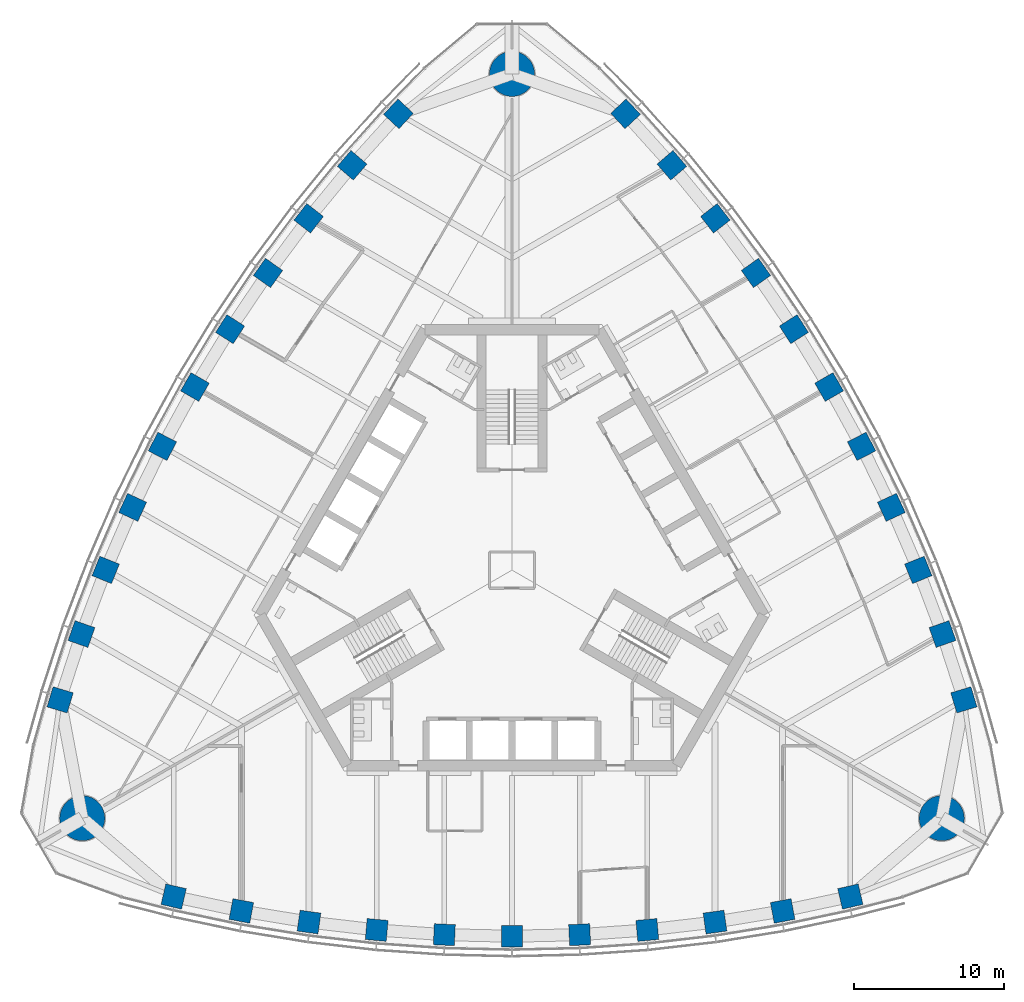
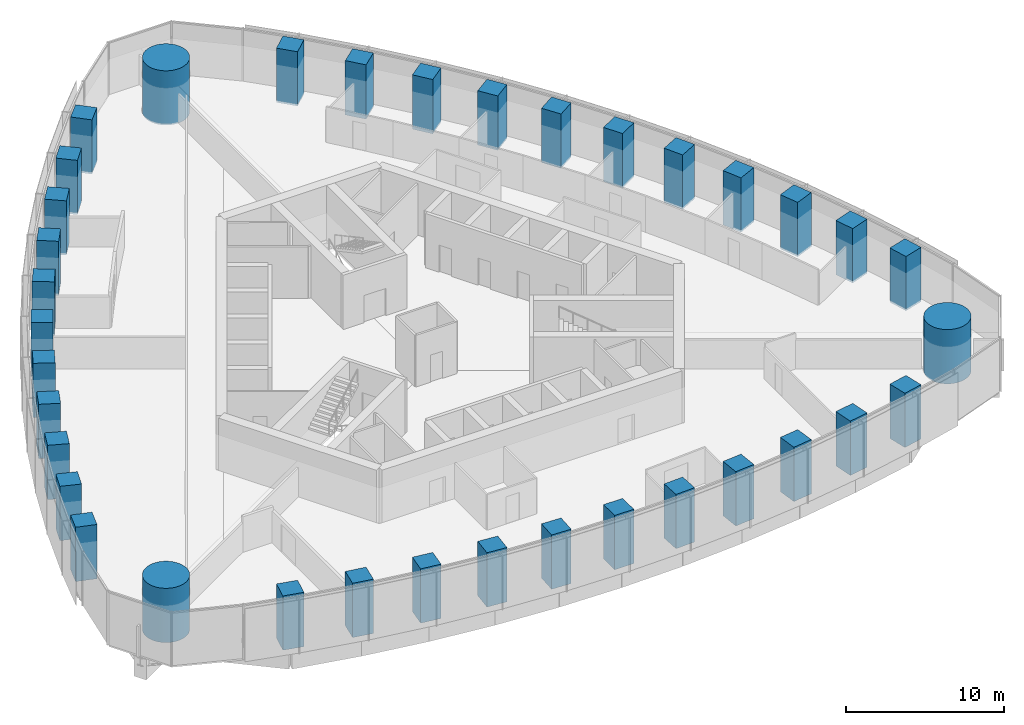
# One storey, part 1 of 19: 36 columns.
"""IFC4 building model written with IfcOpenShell, lengths in metres."""

from ifc_helpers import new_model, si_unit, direction, frame, origin, origin_2d, place, context, subcontext, project, spatial, rectangle, circle, extrude, material, material_profile, profile_set, type_object, element, save


model = new_model("IFC4")

# Units and contexts
model_context = context("Model", 3, precision=1e-05, world=origin(), true_north=direction((0.0, 1.0)))
body_context = subcontext(model_context, "Body", "Model", "MODEL_VIEW")
ifc_project = project(units=[si_unit("LENGTHUNIT", "METRE"), si_unit("AREAUNIT", "SQUARE_METRE"), si_unit("VOLUMEUNIT", "CUBIC_METRE"), si_unit("PLANEANGLEUNIT", "RADIAN"), si_unit("MASSUNIT", "GRAM", prefix="KILO")], contexts=[model_context])

# Site, building, storey
site_placement = place(None, origin())
site = spatial("IfcSite", under=ifc_project, at=site_placement, CompositionType="ELEMENT")
building_placement = place(site_placement, origin())
building = spatial("IfcBuilding", under=site, at=building_placement, Name="Trefoil Bronze Tower", CompositionType="ELEMENT")
storey_placement = place(building_placement, frame((0.0, 0.0, 256.89990234375)))
storey = spatial("IfcBuildingStorey", under=building, at=storey_placement, Name="L59", CompositionType="ELEMENT", Elevation=256.89990234375)

# Columns
ifc_material_1 = material(Name="Concrete B80", Category="concrete")
ifc_material_profile_1 = material_profile(ifc_material_1, circle(Radius=1.5, at=origin_2d()), Name="RC D3000")
ifc_profile_set_1 = profile_set([ifc_material_profile_1], Name="Concrete B80")
column_type_1 = type_object("IfcColumnType", Name="Mega column RC D3000", PredefinedType="COLUMN", material=ifc_profile_set_1)
for number, where, z_axis, x_axis, name in (
    (1, (28.578857421875, -16.5, 0.0), (0.0, 0.0, 1.0), (1.0, 0.0, 0.0), "Mega column K1 L59"),
    (2, (0.0, 33.0, 0.0), (0.0, 0.0, 1.0), (1.0, 0.0, 0.0), "Mega column K2 L59"),
    (3, (-28.578857421875, -16.5, 0.0), (0.0, 0.0, 1.0), (1.0, 0.0, 0.0), "Mega column K3 L59"),
):
    element("IfcColumn", number, at=place(storey_placement, frame(where, z_axis=z_axis, x_axis=x_axis)), inside=storey, type_object=column_type_1, Name=name, PredefinedType="COLUMN", context=body_context, shape_type="SweptSolid", body=[
        extrude(circle(Radius=1.5, at=origin_2d()), origin(), (0.0, 0.0, 1.0), 4.2001953125),
    ])
ifc_material_2 = material(Name="Concrete B80", Category="concrete")
ifc_material_profile_2 = material_profile(ifc_material_2, rectangle(XDim=1.39990234375, YDim=1.39990234375, at=origin_2d()), Name="RC 1400x1400")
ifc_profile_set_2 = profile_set([ifc_material_profile_2], Name="Concrete B80")
column_type_2 = type_object("IfcColumnType", Name="Tube column RC 1400x1400", PredefinedType="COLUMN", material=ifc_profile_set_2)
for number, where, z_axis, x_axis, name in (
    (4, (-22.5, -21.71044921875, 0.0), (0.0, 0.0, 1.0), (0.973875487093, -0.227082662569, 0.0), "Tube column F1/-5 L59"),
    (5, (-18.0, -22.6689453125, 0.0), (0.0, 0.0, 1.0), (0.982958917767, -0.183825368167, 0.0), "Tube column F1/-4 L59"),
    (6, (-13.5, -23.408447265625, 0.0), (0.0, 0.0, 1.0), (0.990450627582, -0.137867887204, 0.0), "Tube column F1/-3 L59"),
    (7, (-9.0, -23.932861328125, 0.0), (0.0, 0.0, 1.0), (0.995767189263, -0.091911396394, 0.0), "Tube column F1/-2 L59"),
    (8, (-4.5, -24.246337890625, 0.0), (0.0, 0.0, 1.0), (0.998943485952, -0.045955542372, 0.0), "Tube column F1/-1 L59"),
    (9, (0.0, -24.3505859375, 0.0), (0.0, 0.0, 1.0), (1.0, 0.0, 0.0), "Tube column F1/+0 L59"),
    (10, (4.5, -24.246337890625, 0.0), (0.0, 0.0, 1.0), (0.998943485952, 0.045955542372, 0.0), "Tube column F1/+1 L59"),
    (11, (9.0, -23.932861328125, 0.0), (0.0, 0.0, 1.0), (0.995767189263, 0.091911396394, 0.0), "Tube column F1/+2 L59"),
    (12, (13.5, -23.408447265625, 0.0), (0.0, 0.0, 1.0), (0.990450627582, 0.137867887204, 0.0), "Tube column F1/+3 L59"),
    (13, (18.0, -22.6689453125, 0.0), (0.0, 0.0, 1.0), (0.982958917767, 0.183825368167, 0.0), "Tube column F1/+4 L59"),
    (14, (22.5, -21.71044921875, 0.0), (0.0, 0.0, 1.0), (0.973875487093, 0.227082662569, 0.0), "Tube column F1/+5 L59"),
    (15, (30.052001953125, -8.63037109375, 0.0), (0.0, 0.0, 1.0), (-0.290278389002, 0.95694224323, 0.0), "Tube column F2/-5 L59"),
    (16, (28.632080078125, -4.25390625, 0.0), (0.0, 0.0, 1.0), (-0.332282020191, 0.943180077746, 0.0), "Tube column F2/-4 L59"),
    (17, (27.022216796875, 0.012939453125, 0.0), (0.0, 0.0, 1.0), (-0.375828221106, 0.926689348282, 0.0), "Tube column F2/-3 L59"),
    (18, (25.2265625, 4.17236328125, 0.0), (0.0, 0.0, 1.0), (-0.418285990457, 0.908315380354, 0.0), "Tube column F2/-2 L59"),
    (19, (23.248046875, 8.22607421875, 0.0), (0.0, 0.0, 1.0), (-0.459673075837, 0.888088206965, 0.0), "Tube column F2/-1 L59"),
    (20, (21.08837890625, 12.17529296875, 0.0), (0.0, 0.0, 1.0), (-0.5, 0.866025403784, 0.0), "Tube column F2/+0 L59"),
    (21, (18.748046875, 16.020263671875, 0.0), (0.0, 0.0, 1.0), (-0.539270410114, 0.842132664593, 0.0), "Tube column F2/+1 L59"),
    (22, (16.2265625, 19.7607421875, 0.0), (0.0, 0.0, 1.0), (-0.577481198806, 0.81640398396, 0.0), "Tube column F2/+2 L59"),
    (23, (13.522216796875, 23.3955078125, 0.0), (0.0, 0.0, 1.0), (-0.614622406476, 0.788821461078, 0.0), "Tube column F2/+3 L59"),
    (24, (10.632080078125, 26.923095703125, 0.0), (0.0, 0.0, 1.0), (-0.650676897576, 0.75935470958, 0.0), "Tube column F2/+4 L59"),
    (25, (7.552001953125, 30.3408203125, 0.0), (0.0, 0.0, 1.0), (-0.683597098091, 0.729859580661, 0.0), "Tube column F2/+5 L59"),
    (26, (-7.552001953125, 30.3408203125, 0.0), (0.0, 0.0, 1.0), (-0.683597098091, -0.729859580661, 0.0), "Tube column F3/-5 L59"),
    (27, (-10.632080078125, 26.923095703125, 0.0), (0.0, 0.0, 1.0), (-0.650676897576, -0.75935470958, 0.0), "Tube column F3/-4 L59"),
    (28, (-13.522216796875, 23.3955078125, 0.0), (0.0, 0.0, 1.0), (-0.614622406476, -0.788821461078, 0.0), "Tube column F3/-3 L59"),
    (29, (-16.2265625, 19.7607421875, 0.0), (0.0, 0.0, 1.0), (-0.577481198806, -0.81640398396, 0.0), "Tube column F3/-2 L59"),
    (30, (-18.748046875, 16.020263671875, 0.0), (0.0, 0.0, 1.0), (-0.539270410114, -0.842132664593, 0.0), "Tube column F3/-1 L59"),
    (31, (-21.08837890625, 12.17529296875, 0.0), (0.0, 0.0, 1.0), (-0.5, -0.866025403784, 0.0), "Tube column F3/+0 L59"),
    (32, (-23.248046875, 8.22607421875, 0.0), (0.0, 0.0, 1.0), (-0.459673075837, -0.888088206965, 0.0), "Tube column F3/+1 L59"),
    (33, (-25.2265625, 4.17236328125, 0.0), (0.0, 0.0, 1.0), (-0.418285990457, -0.908315380354, 0.0), "Tube column F3/+2 L59"),
    (34, (-27.022216796875, 0.012939453125, 0.0), (0.0, 0.0, 1.0), (-0.375828221106, -0.926689348282, 0.0), "Tube column F3/+3 L59"),
    (35, (-28.632080078125, -4.25390625, 0.0), (0.0, 0.0, 1.0), (-0.332282020191, -0.943180077746, 0.0), "Tube column F3/+4 L59"),
    (36, (-30.052001953125, -8.63037109375, 0.0), (0.0, 0.0, 1.0), (-0.290278389002, -0.95694224323, 0.0), "Tube column F3/+5 L59"),
):
    element("IfcColumn", number, at=place(storey_placement, frame(where, z_axis=z_axis, x_axis=x_axis)), inside=storey, type_object=column_type_2, Name=name, PredefinedType="COLUMN", context=body_context, shape_type="SweptSolid", body=[
        extrude(rectangle(XDim=1.39990234375, YDim=1.39990234375, at=origin_2d()), origin(), (0.0, 0.0, 1.0), 4.2001953125),
    ])

save(model, "model.ifc")
